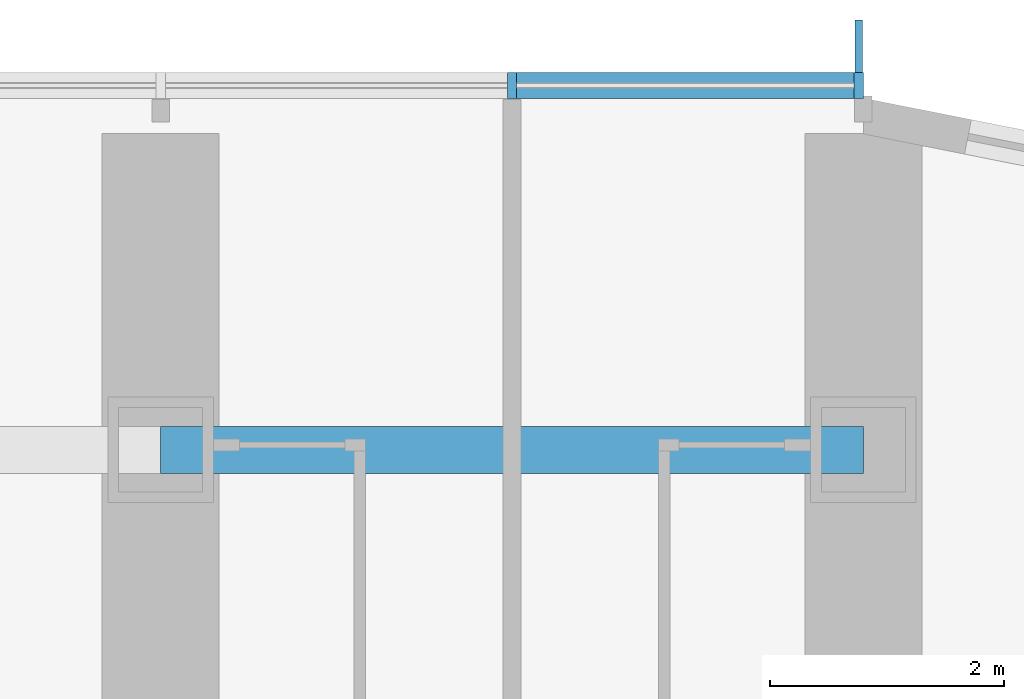
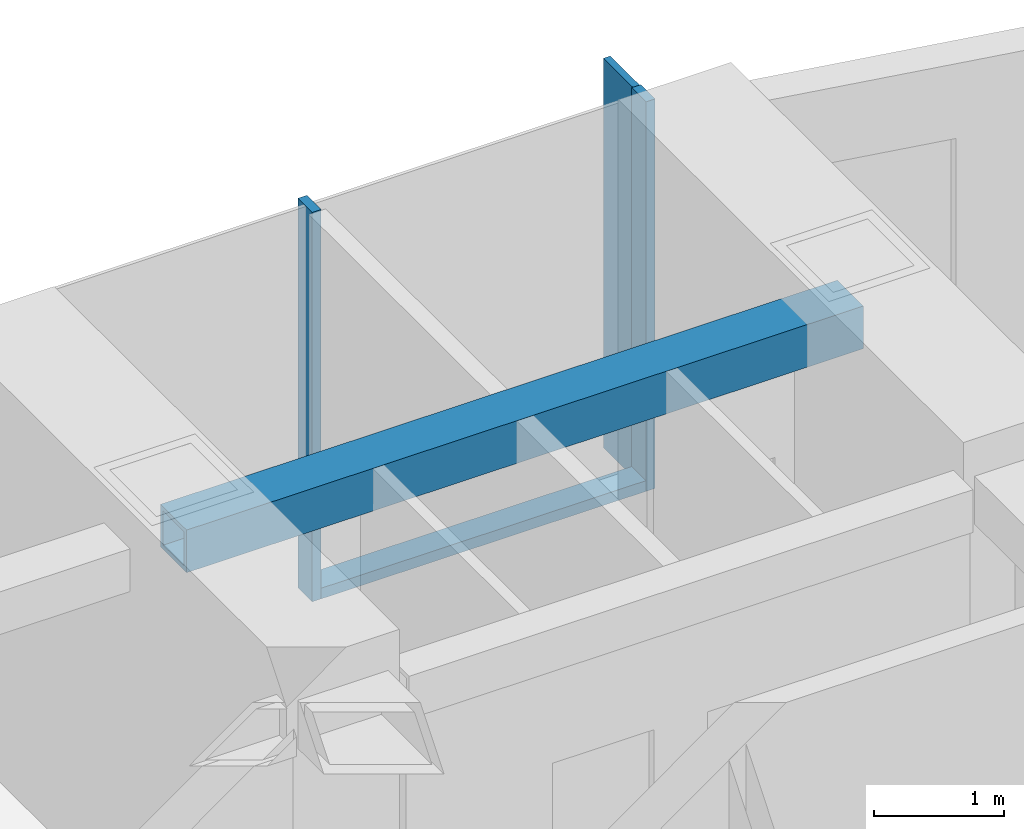
# One storey, part 7 of 23: 4 members, 1 beam, 1 element without a shape of its own.
"""IFC4 building model written with IfcOpenShell, lengths in metres."""

from ifc_helpers import new_model, si_unit, direction, frame, origin, origin_2d, place, context, subcontext, project, spatial, rectangle, hollow_rectangle, extrude, material, material_profile, profile_set, type_object, element, aggregate, save


model = new_model("IFC4")

# Units and contexts
model_context = context("Model", 3, precision=1e-05, world=origin(), true_north=direction((0.0, 1.0)))
body_context = subcontext(model_context, "Body", "Model", "MODEL_VIEW")
ifc_project = project(units=[si_unit("LENGTHUNIT", "METRE"), si_unit("AREAUNIT", "SQUARE_METRE"), si_unit("VOLUMEUNIT", "CUBIC_METRE"), si_unit("PLANEANGLEUNIT", "RADIAN"), si_unit("MASSUNIT", "GRAM", prefix="KILO")], contexts=[model_context])

# Site, building, storey
site_placement = place(None, origin())
site = spatial("IfcSite", under=ifc_project, at=site_placement, CompositionType="ELEMENT")
building_placement = place(site_placement, origin())
building = spatial("IfcBuilding", under=site, at=building_placement, Name="Orbita Commons", CompositionType="ELEMENT")
storey_placement = place(building_placement, frame((0.0, 0.0, 65.199951171875)))
storey = spatial("IfcBuildingStorey", under=building, at=storey_placement, Name="L16", CompositionType="ELEMENT", Elevation=65.199951171875)

# Curtain wall, members
ifc_material_1 = material(Name="Anodised aluminium frame, pale silver", Category="aluminium")
curtain_wall_type = type_object("IfcCurtainWallType", Name="Unitised curtain wall CW-T, vision and spandrel", PredefinedType="NOTDEFINED", material=ifc_material_1)
curtain_wall_placement = place(storey_placement, origin())
curtain_wall = element("IfcCurtainWall", 1, at=curtain_wall_placement, inside=storey, type_object=curtain_wall_type, Name="Curtain wall north L16", PredefinedType="NOTDEFINED")
ifc_material_2 = material(Name="Anodised aluminium, pale silver", Category="aluminium")
ifc_material_profile_1 = material_profile(ifc_material_2, rectangle(XDim=0.080078125, YDim=0.219970703125, at=origin_2d()), Name="AL 80x220")
ifc_profile_set_1 = profile_set([ifc_material_profile_1], Name="Anodised aluminium, pale silver")
member_type_1 = type_object("IfcMemberType", Name="Curtain wall mullion 80x220", PredefinedType="MULLION", material=ifc_profile_set_1)
member_1_placement = place(storey_placement, frame((71.9599609375, 56.7099609375, -0.25), z_axis=(0.0, 0.0, 1.0), x_axis=(-1.0, 0.0, 0.0)))
member_1 = element("IfcMember", 2, at=member_1_placement, type_object=member_type_1, Name="Mullion 1 CW-L16-N", PredefinedType="MULLION", context=body_context, shape_type="SweptSolid", body=[
    extrude(rectangle(XDim=0.080078125, YDim=0.219970703125, at=origin_2d()), origin(), (0.0, 0.0, 1.0), 3.650146484375),
])
member_2_placement = place(storey_placement, frame((69.0, 56.7099609375, -0.25), z_axis=(0.0, 0.0, 1.0), x_axis=(-1.0, 0.0, 0.0)))
member_2 = element("IfcMember", 3, at=member_2_placement, type_object=member_type_1, Name="Mullion 2 CW-L16-N", PredefinedType="MULLION", context=body_context, shape_type="SweptSolid", body=[
    extrude(rectangle(XDim=0.080078125, YDim=0.219970703125, at=origin_2d()), origin(), (0.0, 0.0, 1.0), 3.650146484375),
])
ifc_material_3 = material(Name="Anodised aluminium, pale silver", Category="aluminium")
ifc_material_profile_2 = material_profile(ifc_material_3, rectangle(XDim=0.219970703125, YDim=0.10009765625, at=origin_2d()), Name="AL 220x100")
ifc_profile_set_2 = profile_set([ifc_material_profile_2], Name="Anodised aluminium, pale silver")
member_type_2 = type_object("IfcMemberType", Name="Curtain wall stack transom 220x100", PredefinedType="USERDEFINED", material=ifc_profile_set_2)
member_3_placement = place(storey_placement, frame((71.919921875, 56.7099609375, -0.199951171875), z_axis=(-1.0, 0.0, 0.0), x_axis=(0.0, -1.0, 0.0)))
member_3 = element("IfcMember", 4, at=member_3_placement, type_object=member_type_2, Name="Transom 1.1 CW-L16-N", ObjectType="TRANSOM", PredefinedType="USERDEFINED", context=body_context, shape_type="SweptSolid", body=[
    extrude(rectangle(XDim=0.219970703125, YDim=0.10009765625, at=origin_2d()), origin(), (0.0, 0.0, 1.0), 2.8798828125),
])

# Beam
ifc_material_4 = material(Name="Steel ASTM A572 Gr 50 welded plate", Category="steel")
ifc_material_profile_3 = material_profile(ifc_material_4, hollow_rectangle(XDim=0.39990234375, YDim=0.39990234375, WallThickness=0.0400390625, at=origin_2d()), Name="BOX 400x400x40")
ifc_profile_set_3 = profile_set([ifc_material_profile_3], Name="Steel ASTM A572 Gr 50 welded plate")
beam_type = type_object("IfcBeamType", Name="Steel spandrel BOX 400x400x40", PredefinedType="SPANDREL", material=ifc_profile_set_3)
beam_placement = place(storey_placement, frame((66.0, 53.60009765625, 3.199951171875), z_axis=(1.0, 0.0, 0.0), x_axis=(0.0, 1.0, 0.0)))
element("IfcBeam", 5, at=beam_placement, inside=storey, type_object=beam_type, Name="Spandrel beam E 12-13 L16", PredefinedType="SPANDREL", context=body_context, shape_type="SweptSolid", body=[
    extrude(hollow_rectangle(XDim=0.39990234375, YDim=0.39990234375, WallThickness=0.0400390625, at=origin_2d()), origin(), (0.0, 0.0, 1.0), 6.0),
])

# Member
ifc_material_5 = material(Name="Anodised aluminium, pale silver", Category="aluminium")
ifc_material_profile_4 = material_profile(ifc_material_5, rectangle(XDim=0.06005859375, YDim=0.449951171875, at=origin_2d()), Name="FIN 60x450")
ifc_profile_set_4 = profile_set([ifc_material_profile_4], Name="Anodised aluminium, pale silver")
member_type_3 = type_object("IfcMemberType", Name="Vertical fin 60x450 pale aluminium", PredefinedType="USERDEFINED", material=ifc_profile_set_4)
member_4_placement = place(storey_placement, frame((71.9599609375, 57.044921875, -0.25), z_axis=(0.0, 0.0, 1.0), x_axis=(-1.0, 0.0, 0.0)))
member_4 = element("IfcMember", 6, at=member_4_placement, type_object=member_type_3, Name="Fin 1 CW-L16-N", ObjectType="FIN", PredefinedType="USERDEFINED", context=body_context, shape_type="SweptSolid", body=[
    extrude(rectangle(XDim=0.06005859375, YDim=0.449951171875, at=origin_2d()), origin(), (0.0, 0.0, 1.0), 3.650146484375),
])

aggregate(curtain_wall, [member_1, member_4, member_2, member_3])

save(model, "model.ifc")
